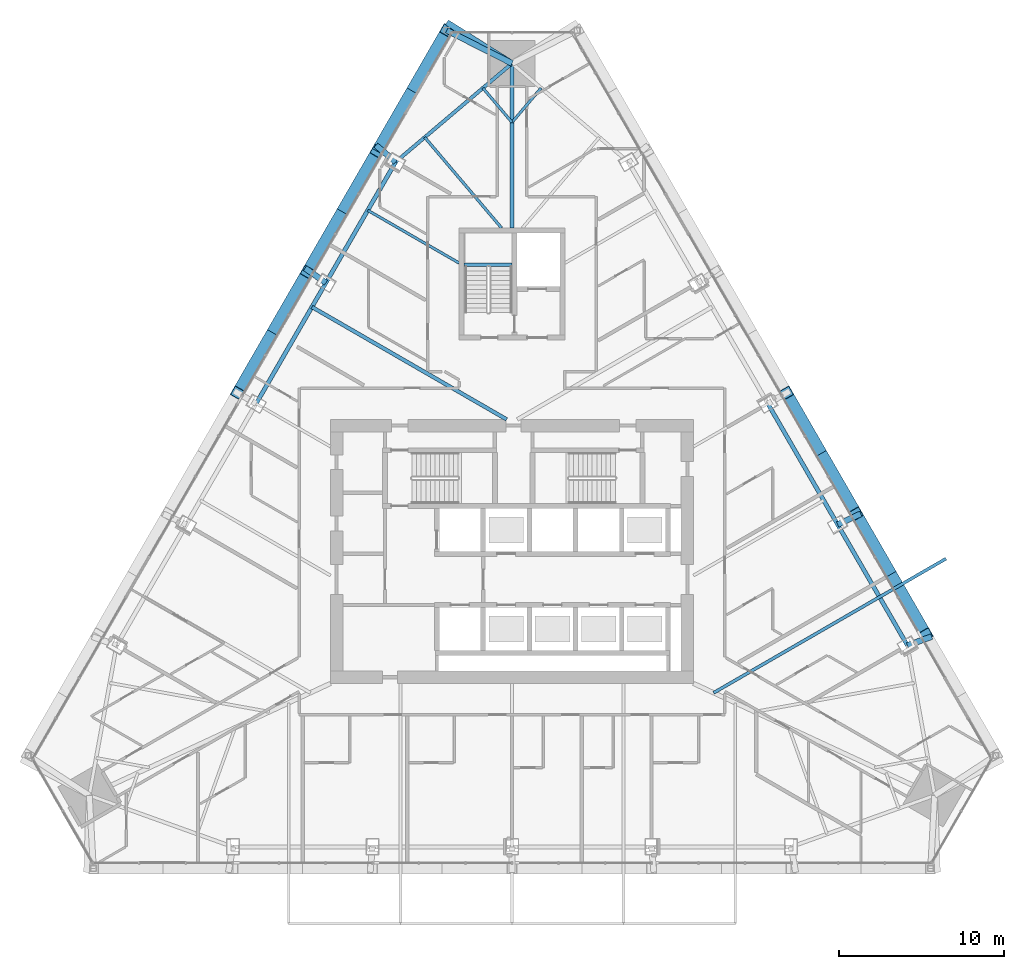
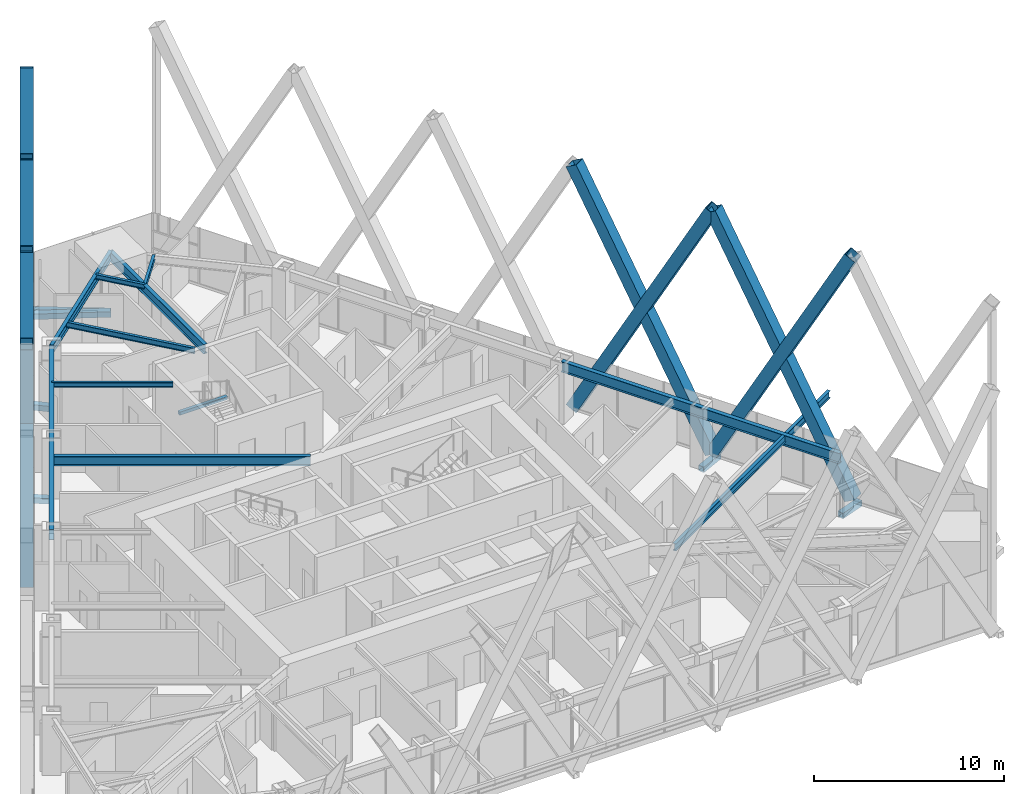
# One storey, part 9 of 19: 16 members, 11 beams.
"""IFC4 building model written with IfcOpenShell, lengths in metres."""

from ifc_helpers import new_model, si_unit, direction, frame, origin, origin_2d, place, context, subcontext, project, spatial, rectangle, hollow_rectangle, i_section, extrude, material, material_profile, profile_set, type_object, element, save


model = new_model("IFC4")

# Units and contexts
model_context = context("Model", 3, precision=1e-05, world=origin(), true_north=direction((0.0, 1.0)))
body_context = subcontext(model_context, "Body", "Model", "MODEL_VIEW")
ifc_project = project(units=[si_unit("LENGTHUNIT", "METRE"), si_unit("AREAUNIT", "SQUARE_METRE"), si_unit("VOLUMEUNIT", "CUBIC_METRE"), si_unit("PLANEANGLEUNIT", "RADIAN"), si_unit("MASSUNIT", "GRAM", prefix="KILO")], contexts=[model_context])

# Site, building, storey
site_placement = place(None, origin())
site = spatial("IfcSite", under=ifc_project, at=site_placement, CompositionType="ELEMENT")
building_placement = place(site_placement, origin())
building = spatial("IfcBuilding", under=site, at=building_placement, Name="Firuza Gate Tower and Library", CompositionType="ELEMENT")
storey_placement = place(building_placement, frame((0.0, 0.0, 218.199951171875)))
storey = spatial("IfcBuildingStorey", under=building, at=storey_placement, Name="L51", CompositionType="ELEMENT", Elevation=218.199951171875)

# Members
ifc_material_1 = material(Name="Steel S355", Category="steel")
ifc_material_profile_1 = material_profile(ifc_material_1, hollow_rectangle(XDim=0.699951171875, YDim=0.699951171875, WallThickness=0.030029296875, at=origin_2d()))
ifc_profile_set_1 = profile_set([ifc_material_profile_1], Name="Steel S355")
member_type_1 = type_object("IfcMemberType", Name="BU700x700x30 Lattice brace", PredefinedType="BRACE", material=ifc_profile_set_1)
for number, where, z_axis, x_axis, name in (
    (1, (100.08544921875, 69.95556640625, 0.0), (-0.238260226844, 0.412693625004, 0.879156434422), (-0.866033171599, -0.49998654551, 0.0), "Lattice brace E 12.2R"),
    (2, (95.857666015625, 77.278564453125, 0.0), (0.238260226844, -0.412693625004, 0.879156434422), (0.866033171599, 0.49998654551, 0.0), "Lattice brace E 12.2L"),
    (3, (95.857666015625, 77.278564453125, 0.0), (-0.23826157971, 0.412682209494, 0.879161426361), (-0.86602595357, -0.499999047742, 0.0), "Lattice brace E 12.3R"),
    (4, (91.6298828125, 84.601318359375, 0.0), (0.23826157971, -0.412682209494, 0.879161426361), (0.86602595357, 0.499999047742, 0.0), "Lattice brace E 12.3L"),
    (5, (71.0537109375, 106.56982421875, 0.0), (-0.238273204472, -0.412692272095, 0.879153552335), (0.866020669537, -0.500008199868, 0.0), "Lattice brace W 12.1R"),
    (6, (66.82568359375, 99.246826171875, 0.0), (0.238273204472, 0.412692272095, 0.879153552335), (-0.866020669537, 0.500008199868, 0.0), "Lattice brace W 12.1L"),
    (7, (66.82568359375, 99.246826171875, 0.0), (-0.23826157971, -0.412682209494, 0.879161426361), (0.86602595357, -0.499999047742, 0.0), "Lattice brace W 12.2R"),
    (8, (62.597900390625, 91.924072265625, 0.0), (0.23826157971, 0.412682209494, 0.879161426361), (-0.86602595357, 0.499999047742, 0.0), "Lattice brace W 12.2L"),
    (9, (62.597900390625, 91.924072265625, 0.0), (-0.23826157971, -0.412682209494, 0.879161426361), (0.86602595357, -0.499999047742, 0.0), "Lattice brace W 12.3R"),
    (10, (58.3701171875, 84.601318359375, 0.0), (0.23826157971, 0.412682209494, 0.879161426361), (-0.86602595357, 0.499999047742, 0.0), "Lattice brace W 12.3L"),
):
    element("IfcMember", number, at=place(storey_placement, frame(where, z_axis=z_axis, x_axis=x_axis)), inside=storey, type_object=member_type_1, Name=name, PredefinedType="BRACE", context=body_context, shape_type="SweptSolid", body=[
        extrude(hollow_rectangle(XDim=0.699951171875, YDim=0.699951171875, WallThickness=0.030029296875, at=origin_2d()), origin(), (0.0, 0.0, 1.0), 17.744384765625),
    ])
ifc_material_2 = material(Name="Steel S355", Category="steel")
ifc_material_profile_2 = material_profile(ifc_material_2, hollow_rectangle(XDim=0.355712890625, YDim=0.355712890625, WallThickness=0.014892578125, at=origin_2d()))
ifc_profile_set_2 = profile_set([ifc_material_profile_2], Name="Steel S355")
member_type_2 = type_object("IfcMemberType", Name="HSS356x356x16 Lattice node tie", PredefinedType="BRACE", material=ifc_profile_set_2)
member_1_placement = place(storey_placement, frame((94.73193359375, 76.62841796875, -0.320068359375), z_axis=(0.907185612585, 0.420730631542, 0.0), x_axis=(-0.420730631542, 0.907185612585, 0.0)))
element("IfcMember", 11, at=member_1_placement, inside=storey, type_object=member_type_2, Name="Lattice node tie E L51 267", PredefinedType="BRACE", context=body_context, shape_type="SweptSolid", body=[
    extrude(hollow_rectangle(XDim=0.355712890625, YDim=0.355712890625, WallThickness=0.014892578125, at=origin_2d()), origin(), (0.0, 0.0, 1.0), 1.545166015625),
])
member_2_placement = place(storey_placement, frame((98.959716796875, 69.3056640625, -0.320068359375), z_axis=(0.940688215805, 0.339272280987, 0.0), x_axis=(-0.339272280987, 0.940688215805, 0.0)))
element("IfcMember", 12, at=member_2_placement, inside=storey, type_object=member_type_2, Name="Lattice node tie E L51 268", PredefinedType="BRACE", context=body_context, shape_type="SweptSolid", body=[
    extrude(hollow_rectangle(XDim=0.355712890625, YDim=0.355712890625, WallThickness=0.014892578125, at=origin_2d()), origin(), (0.0, 0.0, 1.0), 1.563720703125),
])
member_3_placement = place(storey_placement, frame((63.723876953125, 91.274169921875, -0.320068359375), z_axis=(-0.817886273366, 0.575379912613, 0.0), x_axis=(-0.575379912613, -0.817886273366, 0.0)))
element("IfcMember", 13, at=member_3_placement, inside=storey, type_object=member_type_2, Name="Lattice node tie W L51 285", PredefinedType="BRACE", context=body_context, shape_type="SweptSolid", body=[
    extrude(hollow_rectangle(XDim=0.355712890625, YDim=0.355712890625, WallThickness=0.014892578125, at=origin_2d()), origin(), (0.0, 0.0, 1.0), 1.54541015625),
])
member_4_placement = place(storey_placement, frame((67.95166015625, 98.596923828125, -0.320068359375), z_axis=(-0.764084640746, 0.645116006449, 0.0), x_axis=(-0.645116006449, -0.764084640746, 0.0)))
element("IfcMember", 14, at=member_4_placement, inside=storey, type_object=member_type_2, Name="Lattice node tie W L51 286", PredefinedType="BRACE", context=body_context, shape_type="SweptSolid", body=[
    extrude(hollow_rectangle(XDim=0.355712890625, YDim=0.355712890625, WallThickness=0.014892578125, at=origin_2d()), origin(), (0.0, 0.0, 1.0), 1.563720703125),
])
member_5_placement = place(storey_placement, frame((75.0, 104.56982421875, -0.320068359375), z_axis=(-0.846854320975, 0.531824932704, 0.0), x_axis=(-0.531824932704, -0.846854320975, 0.0)))
element("IfcMember", 15, at=member_5_placement, inside=storey, type_object=member_type_2, Name="Lattice node tie W L51 287", PredefinedType="BRACE", context=body_context, shape_type="SweptSolid", body=[
    extrude(hollow_rectangle(XDim=0.355712890625, YDim=0.355712890625, WallThickness=0.014892578125, at=origin_2d()), origin(), (0.0, 0.0, 1.0), 4.659912109375),
])
member_6_placement = place(storey_placement, frame((75.0, 104.56982421875, -0.320068359375), z_axis=(-0.891985934506, 0.452063151168, 0.0), x_axis=(-0.452063151168, -0.891985934506, 0.0)))
element("IfcMember", 16, at=member_6_placement, inside=storey, type_object=member_type_2, Name="Lattice node tie W L51 288", PredefinedType="BRACE", context=body_context, shape_type="SweptSolid", body=[
    extrude(hollow_rectangle(XDim=0.355712890625, YDim=0.355712890625, WallThickness=0.014892578125, at=origin_2d()), origin(), (0.0, 0.0, 1.0), 4.424072265625),
])

# Beams
ifc_material_3 = material(Name="Concrete C35/45", Category="concrete")
ifc_material_profile_3 = material_profile(ifc_material_3, rectangle(XDim=0.199951171875, YDim=0.199951171875, at=origin_2d()))
ifc_profile_set_3 = profile_set([ifc_material_profile_3], Name="Concrete C35/45")
beam_type_1 = type_object("IfcBeamType", Name="Stair landing bearer 200x200", PredefinedType="BEAM", material=ifc_profile_set_3)
beam_1_placement = place(storey_placement, frame((75.0, 92.3701171875, 1.650146484375), z_axis=(-1.0, 0.0, 0.0), x_axis=(0.0, -1.0, 0.0)))
element("IfcBeam", 17, at=beam_1_placement, inside=storey, type_object=beam_type_1, Name="Landing bearer L51 stair 3", PredefinedType="BEAM", context=body_context, shape_type="SweptSolid", body=[
    extrude(rectangle(XDim=0.199951171875, YDim=0.199951171875, at=origin_2d()), origin(), (0.0, 0.0, 1.0), 2.89990234375),
])
ifc_material_4 = material(Name="Steel S355", Category="steel")
ifc_material_profile_4 = material_profile(ifc_material_4, i_section(OverallWidth=0.1650390625, OverallDepth=0.31005859375, WebThickness=0.005859375, FlangeThickness=0.009765625, at=origin_2d()))
ifc_profile_set_4 = profile_set([ifc_material_profile_4], Name="Steel S355")
beam_type_2 = type_object("IfcBeamType", Name="W310x39 Floor beam", PredefinedType="JOIST", material=ifc_profile_set_4)
for number, where, z_axis, x_axis, name in (
    (18, (76.76220703125, 103.076416015625, 3.545166015625), (-0.646532298438, -0.762886614823, 0.0), (0.762886614823, -0.646532298438, 0.0), "Floor beam L51 s61"),
    (19, (73.23779296875, 103.076416015625, 3.545166015625), (0.646532298438, -0.762886614823, 0.0), (0.762886614823, 0.646532298438, 0.0), "Floor beam L51 s70"),
):
    element("IfcBeam", number, at=place(storey_placement, frame(where, z_axis=z_axis, x_axis=x_axis)), inside=storey, type_object=beam_type_2, Name=name, PredefinedType="JOIST", context=body_context, shape_type="SweptSolid", body=[
        extrude(i_section(OverallWidth=0.1650390625, OverallDepth=0.31005859375, WebThickness=0.005859375, FlangeThickness=0.009765625, at=origin_2d()), origin(), (0.0, 0.0, 1.0), 2.7255859375),
    ])
beam_2_placement = place(storey_placement, frame((66.260498046875, 95.667724609375, 3.545166015625), z_axis=(0.866026686418, -0.499997778408, 0.0), x_axis=(0.499997778408, 0.866026686418, 0.0)))
element("IfcBeam", 20, at=beam_2_placement, inside=storey, type_object=beam_type_2, Name="Floor beam L51 s80", PredefinedType="JOIST", context=body_context, shape_type="SweptSolid", body=[
    extrude(i_section(OverallWidth=0.1650390625, OverallDepth=0.31005859375, WebThickness=0.005859375, FlangeThickness=0.009765625, at=origin_2d()), origin(), (0.0, 0.0, 1.0), 6.396484375),
])
ifc_material_5 = material(Name="Steel S355", Category="steel")
ifc_material_profile_5 = material_profile(ifc_material_5, i_section(OverallWidth=0.1708984375, OverallDepth=0.35498046875, WebThickness=0.007080078125, FlangeThickness=0.01171875, at=origin_2d()))
ifc_profile_set_5 = profile_set([ifc_material_profile_5], Name="Steel S355")
beam_type_3 = type_object("IfcBeamType", Name="W360x51 Floor beam", PredefinedType="JOIST", material=ifc_profile_set_5)
beam_3_placement = place(storey_placement, frame((69.713623046875, 100.090087890625, 3.5224609375), z_axis=(0.646506300363, -0.76290864695, 0.0), x_axis=(0.76290864695, 0.646506300363, 0.0)))
element("IfcBeam", 21, at=beam_3_placement, inside=storey, type_object=beam_type_3, Name="Floor beam L51 s71", PredefinedType="JOIST", context=body_context, shape_type="SweptSolid", body=[
    extrude(i_section(OverallWidth=0.1708984375, OverallDepth=0.35498046875, WebThickness=0.007080078125, FlangeThickness=0.01171875, at=origin_2d()), origin(), (0.0, 0.0, 1.0), 7.196044921875),
])
ifc_material_6 = material(Name="Steel S355", Category="steel")
ifc_material_profile_6 = material_profile(ifc_material_6, i_section(OverallWidth=0.18994140625, OverallDepth=0.45703125, WebThickness=0.009033203125, FlangeThickness=0.014404296875, at=origin_2d()))
ifc_profile_set_6 = profile_set([ifc_material_profile_6], Name="Steel S355")
beam_type_4 = type_object("IfcBeamType", Name="W460x74 Floor beam", PredefinedType="JOIST", material=ifc_profile_set_6)
beam_4_placement = place(storey_placement, frame((101.295654296875, 74.559814453125, 3.471435546875), z_axis=(-0.866025241626, -0.500000280866, 0.0), x_axis=(0.500000280866, -0.866025241626, 0.0)))
element("IfcBeam", 22, at=beam_4_placement, inside=storey, type_object=beam_type_4, Name="Floor beam L51 s50", PredefinedType="JOIST", context=body_context, shape_type="SweptSolid", body=[
    extrude(i_section(OverallWidth=0.18994140625, OverallDepth=0.45703125, WebThickness=0.009033203125, FlangeThickness=0.014404296875, at=origin_2d()), origin(), (0.0, 0.0, 1.0), 16.2529296875),
])
ifc_material_7 = material(Name="Steel S355", Category="steel")
ifc_material_profile_7 = material_profile(ifc_material_7, i_section(OverallWidth=0.212890625, OverallDepth=0.5390625, WebThickness=0.01171875, FlangeThickness=0.018798828125, at=origin_2d()))
ifc_profile_set_7 = profile_set([ifc_material_profile_7], Name="Steel S355")
beam_type_5 = type_object("IfcBeamType", Name="W530x109 Edge beam", PredefinedType="SPANDREL", material=ifc_profile_set_7)
beam_5_placement = place(storey_placement, frame((75.0, 104.56982421875, 3.4306640625), z_axis=(-0.762909959778, -0.646504751159, 0.0), x_axis=(0.646504751159, -0.762909959778, 0.0)))
element("IfcBeam", 23, at=beam_5_placement, inside=storey, type_object=beam_type_5, Name="Edge beam L51 e70", PredefinedType="SPANDREL", context=body_context, shape_type="SweptSolid", body=[
    extrude(i_section(OverallWidth=0.212890625, OverallDepth=0.5390625, WebThickness=0.01171875, FlangeThickness=0.018798828125, at=origin_2d()), origin(), (0.0, 0.0, 1.0), 9.23876953125),
])
ifc_material_8 = material(Name="Steel S355", Category="steel")
ifc_material_profile_8 = material_profile(ifc_material_8, i_section(OverallWidth=0.22802734375, OverallDepth=0.60302734375, WebThickness=0.010498046875, FlangeThickness=0.014892578125, at=origin_2d()))
ifc_profile_set_8 = profile_set([ifc_material_profile_8], Name="Steel S355")
beam_type_6 = type_object("IfcBeamType", Name="W610x101 Floor beam", PredefinedType="JOIST", material=ifc_profile_set_8)
beam_6_placement = place(storey_placement, frame((62.878173828125, 89.8095703125, 3.3984375), z_axis=(0.866023785365, -0.500002803175, 0.0), x_axis=(0.500002803175, 0.866023785365, 0.0)))
element("IfcBeam", 24, at=beam_6_placement, inside=storey, type_object=beam_type_6, Name="Floor beam L51 s81", PredefinedType="JOIST", context=body_context, shape_type="SweptSolid", body=[
    extrude(i_section(OverallWidth=0.22802734375, OverallDepth=0.60302734375, WebThickness=0.010498046875, FlangeThickness=0.014892578125, at=origin_2d()), origin(), (0.0, 0.0, 1.0), 13.619140625),
])
ifc_material_9 = material(Name="Steel S355", Category="steel")
ifc_material_profile_9 = material_profile(ifc_material_9, i_section(OverallWidth=0.22802734375, OverallDepth=0.60302734375, WebThickness=0.010498046875, FlangeThickness=0.014892578125, at=origin_2d()))
ifc_profile_set_9 = profile_set([ifc_material_profile_9], Name="Steel S355")
beam_type_7 = type_object("IfcBeamType", Name="W610x101 Girder", PredefinedType="BEAM", material=ifc_profile_set_9)
beam_7_placement = place(storey_placement, frame((75.0, 104.56982421875, 3.3984375), z_axis=(0.0, -1.0, 0.0), x_axis=(1.0, 0.0, 0.0)))
element("IfcBeam", 25, at=beam_7_placement, inside=storey, type_object=beam_type_7, Name="Girder L51 gN", PredefinedType="BEAM", context=body_context, shape_type="SweptSolid", body=[
    extrude(i_section(OverallWidth=0.22802734375, OverallDepth=0.60302734375, WebThickness=0.010498046875, FlangeThickness=0.014892578125, at=origin_2d()), origin(), (0.0, 0.0, 1.0), 9.9697265625),
])
ifc_material_10 = material(Name="Steel S355", Category="steel")
ifc_material_profile_10 = material_profile(ifc_material_10, i_section(OverallWidth=0.2529296875, OverallDepth=0.677978515625, WebThickness=0.01171875, FlangeThickness=0.016357421875, at=origin_2d()))
ifc_profile_set_10 = profile_set([ifc_material_profile_10], Name="Steel S355")
beam_type_8 = type_object("IfcBeamType", Name="W690x125 Edge beam", PredefinedType="SPANDREL", material=ifc_profile_set_10)
beam_8_placement = place(storey_placement, frame((98.959716796875, 69.3056640625, 3.361083984375), z_axis=(-0.499999047742, 0.86602595357, 0.0), x_axis=(-0.86602595357, -0.499999047742, 0.0)))
element("IfcBeam", 26, at=beam_8_placement, inside=storey, type_object=beam_type_8, Name="Edge beam L51 e50", PredefinedType="SPANDREL", context=body_context, shape_type="SweptSolid", body=[
    extrude(i_section(OverallWidth=0.2529296875, OverallDepth=0.677978515625, WebThickness=0.01171875, FlangeThickness=0.016357421875, at=origin_2d()), origin(), (0.0, 0.0, 1.0), 16.9111328125),
])
beam_9_placement = place(storey_placement, frame((67.95166015625, 98.596923828125, 3.361083984375), z_axis=(-0.500003623902, -0.866023311513, 0.0), x_axis=(0.866023311513, -0.500003623902, 0.0)))
element("IfcBeam", 27, at=beam_9_placement, inside=storey, type_object=beam_type_8, Name="Edge beam L51 e80", PredefinedType="SPANDREL", context=body_context, shape_type="SweptSolid", body=[
    extrude(i_section(OverallWidth=0.2529296875, OverallDepth=0.677978515625, WebThickness=0.01171875, FlangeThickness=0.016357421875, at=origin_2d()), origin(), (0.0, 0.0, 1.0), 16.911376953125),
])

save(model, "model.ifc")
